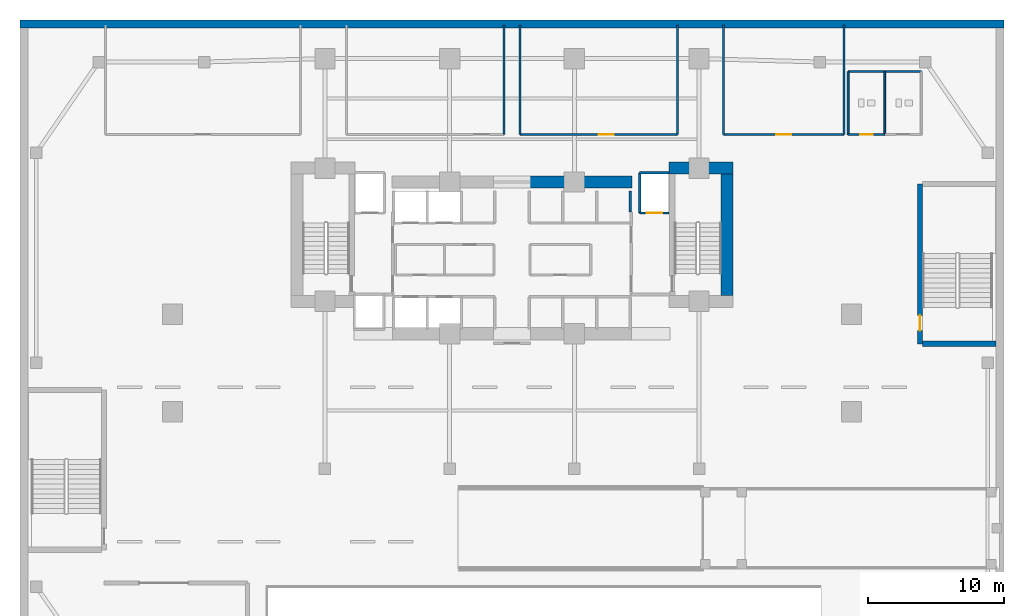
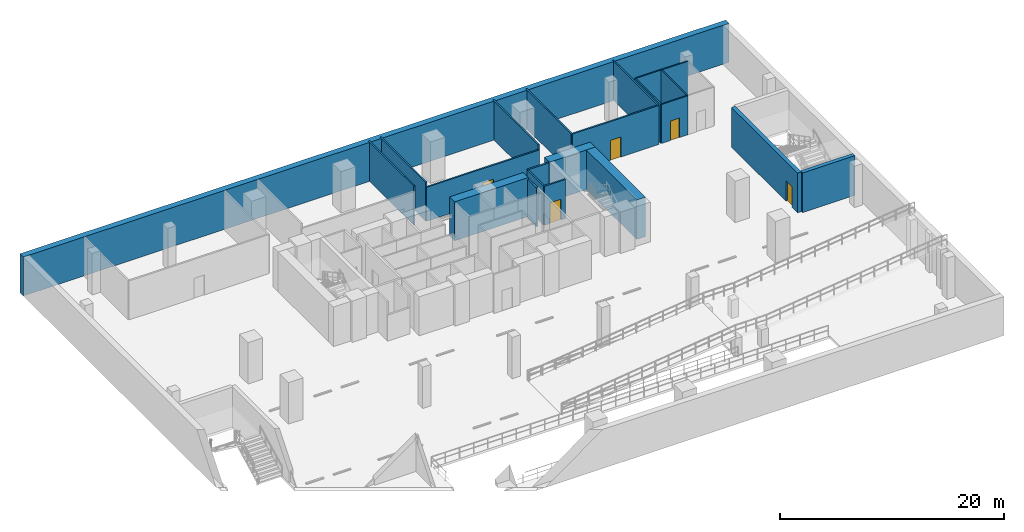
# One storey, part 6 of 13: 21 walls, 5 doors, 5 openings.
"""IFC4 building model written with IfcOpenShell, lengths in metres."""

from ifc_helpers import new_model, si_unit, direction, frame, frame_2d, origin, place, context, subcontext, project, spatial, rectangle, extrude, material, layer, layer_set, type_object, element, fill, save


model = new_model("IFC4")

# Units and contexts
model_context = context("Model", 3, precision=1e-05, world=origin(), true_north=direction((0.0, 1.0)))
body_context = subcontext(model_context, "Body", "Model", "MODEL_VIEW")
ifc_project = project(units=[si_unit("LENGTHUNIT", "METRE"), si_unit("AREAUNIT", "SQUARE_METRE"), si_unit("VOLUMEUNIT", "CUBIC_METRE"), si_unit("PLANEANGLEUNIT", "RADIAN"), si_unit("MASSUNIT", "GRAM", prefix="KILO")], contexts=[model_context])

# Site, building, storey
site_placement = place(None, origin())
site = spatial("IfcSite", under=ifc_project, at=site_placement, CompositionType="ELEMENT")
building_placement = place(site_placement, origin())
building = spatial("IfcBuilding", under=site, at=building_placement, Name="Zuhayl Quay Hotel", CompositionType="ELEMENT")
storey_placement = place(building_placement, frame((0.0, 0.0, -4.5)))
storey = spatial("IfcBuildingStorey", under=building, at=storey_placement, Name="B1", CompositionType="ELEMENT", Elevation=-4.5)

# Walls
ifc_material_1 = material(Name="Concrete C70/85", Category="concrete")
ifc_layer_1 = layer(ifc_material_1, 0.89990234375, Name="Concrete C70/85", Category="concrete")
ifc_layer_set_1 = layer_set([ifc_layer_1], Name="Concrete C70/85")
wall_type_1 = type_object("IfcWallType", Name="WL_CORE_900", PredefinedType="SHEAR", material=ifc_layer_set_1)
wall_1_placement = place(storey_placement, frame((11.60009765625, 14.3798828125, 0.0), z_axis=(0.0, 0.0, 1.0), x_axis=(1.0, 0.0, 0.0)))
element("IfcWall", 1, at=wall_1_placement, inside=storey, type_object=wall_type_1, Name="B1 Core Shear Wall CW_NE", PredefinedType="SHEAR", context=body_context, shape_type="SweptSolid", body=[
    extrude(rectangle(XDim=4.7099609375, YDim=0.89990234375, at=frame_2d((2.35498046875, 0.0))), origin(), (0.0, 0.0, 1.0), 4.31005859375),
])
wall_2_placement = place(storey_placement, frame((15.860107421875, 4.969970703125, 0.0), z_axis=(0.0, 0.0, 1.0), x_axis=(0.0, 1.0, 0.0)))
element("IfcWall", 2, at=wall_2_placement, inside=storey, type_object=wall_type_1, Name="B1 Core Shear Wall CW_E", PredefinedType="SHEAR", context=body_context, shape_type="SweptSolid", body=[
    extrude(rectangle(XDim=8.9599609375, YDim=0.89990234375, at=frame_2d((4.47998046875, 0.0))), origin(), (0.0, 0.0, 1.0), 4.31005859375),
])
wall_3_placement = place(storey_placement, frame((1.25, 13.35009765625, 0.0), z_axis=(0.0, 0.0, 1.0), x_axis=(1.0, 0.0, 0.0)))
element("IfcWall", 3, at=wall_3_placement, inside=storey, type_object=wall_type_1, Name="B1 Core Shear Wall CW_NC_E", PredefinedType="SHEAR", context=body_context, shape_type="SweptSolid", body=[
    extrude(rectangle(XDim=7.60009765625, YDim=0.89990234375, at=frame_2d((3.800048828125, 0.0))), origin(), (0.0, 0.0, 1.0), 4.239990234375),
])
ifc_material_2 = material(Name="Acoustic Gypsum Partition STC-58")
ifc_layer_2 = layer(ifc_material_2, 0.14990234375, Name="Acoustic Gypsum Partition STC-58")
ifc_layer_set_2 = layer_set([ifc_layer_2], Name="Acoustic Gypsum Partition STC-58")
wall_type_2 = type_object("IfcWallType", Name="WL_PART_150", PredefinedType="PARTITIONING", material=ifc_layer_set_2)
for number, where, z_axis, x_axis, name in (
    (4, (-0.60009765625, 16.85009765625, 0.0), (0.0, 0.0, 1.0), (0.0, 1.0, 0.0), "B1 Partition IW_B1_KSTORE_E"),
    (5, (0.60009765625, 16.85009765625, 0.0), (0.0, 0.0, 1.0), (0.0, 1.0, 0.0), "B1 Partition IW_B1_DINING_W"),
    (6, (12.199951171875, 16.85009765625, 0.0), (0.0, 0.0, 1.0), (0.0, 1.0, 0.0), "B1 Partition IW_B1_DINING_E"),
    (7, (15.60009765625, 16.85009765625, 0.0), (0.0, 0.0, 1.0), (0.0, 1.0, 0.0), "B1 Partition IW_B1_LOCKERS_W"),
    (8, (24.5, 16.85009765625, 0.0), (0.0, 0.0, 1.0), (0.0, 1.0, 0.0), "B1 Partition IW_B1_LOCKERS_E"),
):
    element("IfcWall", number, at=place(storey_placement, frame(where, z_axis=z_axis, x_axis=x_axis)), inside=storey, type_object=wall_type_2, Name=name, PredefinedType="PARTITIONING", context=body_context, shape_type="SweptSolid", body=[
        extrude(rectangle(XDim=8.08984375, YDim=0.14990234375, at=frame_2d((4.044921875, 0.0))), origin(), (0.0, 0.0, 1.0), 4.239990234375),
    ])

# Wall, opening, door
ifc_layer_3 = layer(ifc_material_2, 0.159912109375, Name="Acoustic Gypsum Partition STC-58")
ifc_layer_set_3 = layer_set([ifc_layer_3], Name="Acoustic Gypsum Partition STC-58")
wall_type_3 = type_object("IfcWallType", Name="WL_PART_CORR_160", PredefinedType="PARTITIONING", material=ifc_layer_set_3)
wall_4_placement = place(storey_placement, frame((0.60009765625, 16.85009765625, 0.0), z_axis=(0.0, 0.0, 1.0), x_axis=(1.0, 0.0, 0.0)))
wall_4 = element("IfcWall", 9, at=wall_4_placement, inside=storey, type_object=wall_type_3, Name="B1 Partition IW_B1_DINING_S", PredefinedType="PARTITIONING", context=body_context, shape_type="SweptSolid", body=[
    extrude(rectangle(XDim=11.599853515625, YDim=0.159912109375, at=frame_2d((5.7998046875, 0.0))), origin(), (0.0, 0.0, 1.0), 3.70703125),
])
opening_1_placement = place(wall_4_placement, frame((5.81005859375, 0.0, 0.0)))
opening_1 = element("IfcOpeningElement", 10, at=opening_1_placement, cuts=wall_4, Name="Opening D05A", PredefinedType="OPENING", context=body_context, shape_type="SweptSolid", body=[
    extrude(rectangle(XDim=1.080078125, YDim=2.179931640625, at=frame_2d((0.5400390625, 1.08984375))), frame((0.0, 0.08984375, 0.0), z_axis=(0.0, -1.0, 0.0), x_axis=(1.0, 0.0, 0.0)), (0.0, 0.0, 1.0), 0.179931640625),
])
ifc_material_3 = material(Name="Solid Walnut Acoustic Fire Door")
door_type_1 = type_object("IfcDoorType", Name="DR_INT_1100", OperationType="NOTDEFINED", PredefinedType="DOOR", material=ifc_material_3)
door_1_placement = place(opening_1_placement, origin())
door_1 = element("IfcDoor", 11, at=door_1_placement, inside=storey, type_object=door_type_1, Name="B1 Colleague Dining Room Door", OperationType="SINGLE_SWING_RIGHT", OverallHeight=2.179931640625, OverallWidth=1.080078125, PredefinedType="DOOR", context=body_context, shape_type="SweptSolid", body=[
    extrude(rectangle(XDim=1.080078125, YDim=2.179931640625, at=frame_2d((0.5400390625, 1.08984375))), frame((0.0, 0.02490234375, 0.0), z_axis=(0.0, -1.0, 0.0), x_axis=(1.0, 0.0, 0.0)), (0.0, 0.0, 1.0), 0.050048828125),
])
fill(opening_1, door_1)

wall_5_placement = place(storey_placement, frame((15.60009765625, 16.85009765625, 0.0), z_axis=(0.0, 0.0, 1.0), x_axis=(1.0, 0.0, 0.0)))
wall_5 = element("IfcWall", 12, at=wall_5_placement, inside=storey, type_object=wall_type_3, Name="B1 Partition IW_B1_LOCKERS_S", PredefinedType="PARTITIONING", context=body_context, shape_type="SweptSolid", body=[
    extrude(rectangle(XDim=8.89990234375, YDim=0.159912109375, at=frame_2d((4.449951171875, 0.0))), origin(), (0.0, 0.0, 1.0), 4.239990234375),
])
opening_2_placement = place(wall_5_placement, frame((3.909912109375, 0.0, 0.0)))
opening_2 = element("IfcOpeningElement", 13, at=opening_2_placement, cuts=wall_5, Name="Opening D05A", PredefinedType="OPENING", context=body_context, shape_type="SweptSolid", body=[
    extrude(rectangle(XDim=1.080078125, YDim=2.179931640625, at=frame_2d((0.5400390625, 1.08984375))), frame((0.0, 0.08984375, 0.0), z_axis=(0.0, -1.0, 0.0), x_axis=(1.0, 0.0, 0.0)), (0.0, 0.0, 1.0), 0.179931640625),
])
door_2_placement = place(opening_2_placement, origin())
door_2 = element("IfcDoor", 14, at=door_2_placement, inside=storey, type_object=door_type_1, Name="B1 Staff Changing and Locker Room Door", OperationType="SINGLE_SWING_LEFT", OverallHeight=2.179931640625, OverallWidth=1.080078125, PredefinedType="DOOR", context=body_context, shape_type="SweptSolid", body=[
    extrude(rectangle(XDim=1.080078125, YDim=2.179931640625, at=frame_2d((0.5400390625, 1.08984375))), frame((0.0, 0.02490234375, 0.0), z_axis=(0.0, -1.0, 0.0), x_axis=(1.0, 0.0, 0.0)), (0.0, 0.0, 1.0), 0.050048828125),
])
fill(opening_2, door_2)

ifc_material_4 = material(Name="Moisture-Resistant Sanitarychase Gypsum")
ifc_layer_4 = layer(ifc_material_4, 0.135009765625, Name="Moisture-Resistant Sanitarychase Gypsum")
ifc_layer_set_4 = layer_set([ifc_layer_4], Name="Moisture-Resistant Sanitarychase Gypsum")
wall_type_4 = type_object("IfcWallType", Name="WL_PART_PLUMB_150", PredefinedType="PLUMBINGWALL", material=ifc_layer_set_4)
wall_6_placement = place(storey_placement, frame((24.800048828125, 16.85009765625, 0.0), z_axis=(0.0, 0.0, 1.0), x_axis=(1.0, 0.0, 0.0)))
wall_6 = element("IfcWall", 15, at=wall_6_placement, inside=storey, type_object=wall_type_4, Name="B1 Partition IW_B1_BWC_PUB_F", PredefinedType="PLUMBINGWALL", context=body_context, shape_type="SweptSolid", body=[
    extrude(rectangle(XDim=2.699951171875, YDim=0.135009765625, at=frame_2d((1.35009765625, 0.0))), origin(), (0.0, 0.0, 1.0), 4.239990234375),
])
opening_3_placement = place(wall_6_placement, frame((0.889892578125, 0.0, 0.0)))
opening_3 = element("IfcOpeningElement", 16, at=opening_3_placement, cuts=wall_6, Name="Opening D05", PredefinedType="OPENING", context=body_context, shape_type="SweptSolid", body=[
    extrude(rectangle(XDim=0.919921875, YDim=2.1201171875, at=frame_2d((0.4599609375, 1.06005859375))), frame((0.0, 0.077392578125, 0.0), z_axis=(0.0, -1.0, 0.0), x_axis=(1.0, 0.0, 0.0)), (0.0, 0.0, 1.0), 0.155029296875),
])
door_type_2 = type_object("IfcDoorType", Name="DR_INT_950", OperationType="NOTDEFINED", PredefinedType="DOOR", material=ifc_material_3)
door_3_placement = place(opening_3_placement, origin())
door_3 = element("IfcDoor", 17, at=door_3_placement, inside=storey, type_object=door_type_2, Name="B1 Public Restroom Door", OperationType="SINGLE_SWING_RIGHT", OverallHeight=2.1201171875, OverallWidth=0.919921875, PredefinedType="DOOR", context=body_context, shape_type="SweptSolid", body=[
    extrude(rectangle(XDim=0.919921875, YDim=2.1201171875, at=frame_2d((0.4599609375, 1.06005859375))), frame((0.0, 0.02490234375, 0.0), z_axis=(0.0, -1.0, 0.0), x_axis=(1.0, 0.0, 0.0)), (0.0, 0.0, 1.0), 0.050048828125),
])
fill(opening_3, door_3)

# Walls
wall_7_placement = place(storey_placement, frame((24.800048828125, 21.5, 0.0), z_axis=(0.0, 0.0, 1.0), x_axis=(1.0, 0.0, 0.0)))
element("IfcWall", 18, at=wall_7_placement, inside=storey, type_object=wall_type_4, Name="B1 Partition IW_B1_BWC_BK", PredefinedType="PLUMBINGWALL", context=body_context, shape_type="SweptSolid", body=[
    extrude(rectangle(XDim=5.39990234375, YDim=0.135009765625, at=frame_2d((2.699951171875, 0.0))), origin(), (0.0, 0.0, 1.0), 4.239990234375),
])
for number, where, z_axis, x_axis, name in (
    (19, (24.800048828125, 16.85009765625, 0.0), (0.0, 0.0, 1.0), (0.0, 1.0, 0.0), "B1 Partition IW_B1_BWC_W"),
    (20, (27.5, 16.85009765625, 0.0), (0.0, 0.0, 1.0), (0.0, 1.0, 0.0), "B1 Partition IW_B1_BWC_DIV"),
):
    element("IfcWall", number, at=place(storey_placement, frame(where, z_axis=z_axis, x_axis=x_axis)), inside=storey, type_object=wall_type_4, Name=name, PredefinedType="PLUMBINGWALL", context=body_context, shape_type="SweptSolid", body=[
        extrude(rectangle(XDim=4.64990234375, YDim=0.135009765625, at=frame_2d((2.324951171875, 0.0))), origin(), (0.0, 0.0, 1.0), 4.239990234375),
    ])

# Wall, opening, door
ifc_material_5 = material(Name="Gypsum Fireboard Assembly EI-90")
ifc_layer_5 = layer(ifc_material_5, 0.1650390625, Name="Gypsum Fireboard Assembly EI-90")
ifc_layer_set_5 = layer_set([ifc_layer_5], Name="Gypsum Fireboard Assembly EI-90")
wall_type_5 = type_object("IfcWallType", Name="WL_PART_SHAFT_160", PredefinedType="PARTITIONING", material=ifc_layer_set_5)
wall_8_placement = place(storey_placement, frame((9.419921875, 11.070068359375, 0.0), z_axis=(0.0, 0.0, 1.0), x_axis=(1.0, 0.0, 0.0)))
wall_8 = element("IfcWall", 21, at=wall_8_placement, inside=storey, type_object=wall_type_5, Name="B1 Partition IW_B1_SH_FL2_F", PredefinedType="PARTITIONING", context=body_context, shape_type="SweptSolid", body=[
    extrude(rectangle(XDim=2.16015625, YDim=0.1650390625, at=frame_2d((1.080078125, 0.0))), origin(), (0.0, 0.0, 1.0), 4.239990234375),
])
opening_4_placement = place(wall_8_placement, frame((0.530029296875, 0.0, 0.0)))
opening_4 = element("IfcOpeningElement", 22, at=opening_4_placement, cuts=wall_8, Name="Opening LD2", PredefinedType="OPENING", context=body_context, shape_type="SweptSolid", body=[
    extrude(rectangle(XDim=1.14990234375, YDim=2.25, at=frame_2d((0.574951171875, 1.125))), frame((0.0, 0.092529296875, 0.0), z_axis=(0.0, -1.0, 0.0), x_axis=(1.0, 0.0, 0.0)), (0.0, 0.0, 1.0), 0.18505859375),
])
ifc_material_6 = material(Name="Brushed Stainless Steel", Category="steel")
door_type_3 = type_object("IfcDoorType", Name="DR_LIFT_FF_1100", OperationType="SLIDING_TO_LEFT", PredefinedType="DOOR", material=ifc_material_6)
door_4_placement = place(opening_4_placement, origin())
door_4 = element("IfcDoor", 23, at=door_4_placement, inside=storey, type_object=door_type_3, Name="B1 Lift FL2 Sliding Landing Door", OperationType="SLIDING_TO_LEFT", OverallHeight=2.25, OverallWidth=1.14990234375, PredefinedType="DOOR", context=body_context, shape_type="SweptSolid", body=[
    extrude(rectangle(XDim=1.14990234375, YDim=2.25, at=frame_2d((0.574951171875, 1.125))), frame((0.0, 0.02490234375, 0.0), z_axis=(0.0, -1.0, 0.0), x_axis=(1.0, 0.0, 0.0)), (0.0, 0.0, 1.0), 0.050048828125),
])
fill(opening_4, door_4)

# Walls
wall_9_placement = place(storey_placement, frame((9.419921875, 11.070068359375, 0.0), z_axis=(0.0, 0.0, 1.0), x_axis=(0.0, 1.0, 0.0)))
element("IfcWall", 24, at=wall_9_placement, inside=storey, type_object=wall_type_5, Name="B1 Partition IW_B1_SH_FL2_W", PredefinedType="PARTITIONING", context=body_context, shape_type="SweptSolid", body=[
    extrude(rectangle(XDim=2.9599609375, YDim=0.1650390625, at=frame_2d((1.47998046875, 0.0))), origin(), (0.0, 0.0, 1.0), 4.239990234375),
])
wall_10_placement = place(storey_placement, frame((9.419921875, 14.030029296875, 0.0), z_axis=(0.0, 0.0, 1.0), x_axis=(1.0, 0.0, 0.0)))
element("IfcWall", 25, at=wall_10_placement, inside=storey, type_object=wall_type_5, Name="B1 Partition IW_B1_SH_FL2_B", PredefinedType="PARTITIONING", context=body_context, shape_type="SweptSolid", body=[
    extrude(rectangle(XDim=2.16015625, YDim=0.1650390625, at=frame_2d((1.080078125, 0.0))), origin(), (0.0, 0.0, 1.0), 4.239990234375),
])
wall_11_placement = place(storey_placement, frame((8.72998046875, 11.14990234375, 0.0), z_axis=(0.0, 0.0, 1.0), x_axis=(0.0, 1.0, 0.0)))
element("IfcWall", 26, at=wall_11_placement, inside=storey, type_object=wall_type_5, Name="B1 Partition IW_B1_SH_HP4_E", PredefinedType="PARTITIONING", context=body_context, shape_type="SweptSolid", body=[
    extrude(rectangle(XDim=1.530029296875, YDim=0.1650390625, at=frame_2d((0.76513671875, 0.0))), origin(), (0.0, 0.0, 1.0), 4.239990234375),
])
ifc_material_7 = material(Name="Concrete C50/60", Category="concrete")
ifc_layer_6 = layer(ifc_material_7, 0.60009765625, Name="Concrete C50/60", Category="concrete")
ifc_layer_set_6 = layer_set([ifc_layer_6], Name="Concrete C50/60")
wall_type_6 = type_object("IfcWallType", Name="WL_RET_600", PredefinedType="USERDEFINED", material=ifc_layer_set_6)
wall_12_placement = place(storey_placement, frame((-36.300048828125, 25.0, 0.0), z_axis=(0.0, 0.0, 1.0), x_axis=(1.0, 0.0, 0.0)))
element("IfcWall", 27, at=wall_12_placement, inside=storey, type_object=wall_type_6, Name="B1 Basement Retaining Wall N", ObjectType="RETAINING WALL", PredefinedType="USERDEFINED", context=body_context, shape_type="SweptSolid", body=[
    extrude(rectangle(XDim=72.60009765625, YDim=0.60009765625, at=frame_2d((36.300048828125, 0.0))), origin(), (0.0, 0.0, 1.0), 4.239990234375),
])

# Wall, opening, door
ifc_material_8 = material(Name="Concrete C60/75", Category="concrete")
ifc_layer_7 = layer(ifc_material_8, 0.39990234375, Name="Concrete C60/75", Category="concrete")
ifc_layer_set_7 = layer_set([ifc_layer_7], Name="Concrete C60/75")
wall_type_7 = type_object("IfcWallType", Name="WL_STAIR_400", PredefinedType="SHEAR", material=ifc_layer_set_7)
wall_13_placement = place(storey_placement, frame((30.10009765625, 13.199951171875, 0.0), z_axis=(0.0, 0.0, 1.0), x_axis=(0.0, -1.0, 0.0)))
wall_13 = element("IfcWall", 28, at=wall_13_placement, inside=storey, type_object=wall_type_7, Name="B1 Podium Stair Shear Wall SW_ST4_W", PredefinedType="SHEAR", context=body_context, shape_type="SweptSolid", body=[
    extrude(rectangle(XDim=11.800048828125, YDim=0.39990234375, at=frame_2d((5.89990234375, 0.0))), origin(), (0.0, 0.0, 1.0), 4.31005859375),
])
opening_5_placement = place(wall_13_placement, frame((9.699951171875, 0.0, 0.0)))
opening_5 = element("IfcOpeningElement", 29, at=opening_5_placement, cuts=wall_13, Name="Opening D01", PredefinedType="OPENING", context=body_context, shape_type="SweptSolid", body=[
    extrude(rectangle(XDim=1.1201171875, YDim=2.219970703125, at=frame_2d((0.56005859375, 1.10986328125))), frame((0.0, 0.2099609375, 0.0), z_axis=(0.0, -1.0, 0.0), x_axis=(1.0, 0.0, 0.0)), (0.0, 0.0, 1.0), 0.419921875),
])
ifc_material_9 = material(Name="Steel ASTM A992 Grade 50", Category="steel")
door_type_4 = type_object("IfcDoorType", Name="DR_STAIR_90_1100", OperationType="NOTDEFINED", PredefinedType="DOOR", material=ifc_material_9)
door_5_placement = place(opening_5_placement, origin())
door_5 = element("IfcDoor", 30, at=door_5_placement, inside=storey, type_object=door_type_4, Name="B1 Podium Exit Stair ST4 Door", OperationType="SINGLE_SWING_LEFT", OverallHeight=2.219970703125, OverallWidth=1.1201171875, PredefinedType="DOOR", context=body_context, shape_type="SweptSolid", body=[
    extrude(rectangle(XDim=1.1201171875, YDim=2.219970703125, at=frame_2d((0.56005859375, 1.10986328125))), frame((0.0, 0.02490234375, 0.0), z_axis=(0.0, -1.0, 0.0), x_axis=(1.0, 0.0, 0.0)), (0.0, 0.0, 1.0), 0.050048828125),
])
fill(opening_5, door_5)

# Wall
wall_14_placement = place(storey_placement, frame((30.300048828125, 1.39990234375, 0.0), z_axis=(0.0, 0.0, 1.0), x_axis=(1.0, 0.0, 0.0)))
element("IfcWall", 31, at=wall_14_placement, inside=storey, type_object=wall_type_7, Name="B1 Podium Stair Shear Wall SW_ST4_S", PredefinedType="SHEAR", context=body_context, shape_type="SweptSolid", body=[
    extrude(rectangle(XDim=5.39990234375, YDim=0.39990234375, at=frame_2d((2.699951171875, 0.0))), origin(), (0.0, 0.0, 1.0), 4.31005859375),
])

save(model, "model.ifc")
